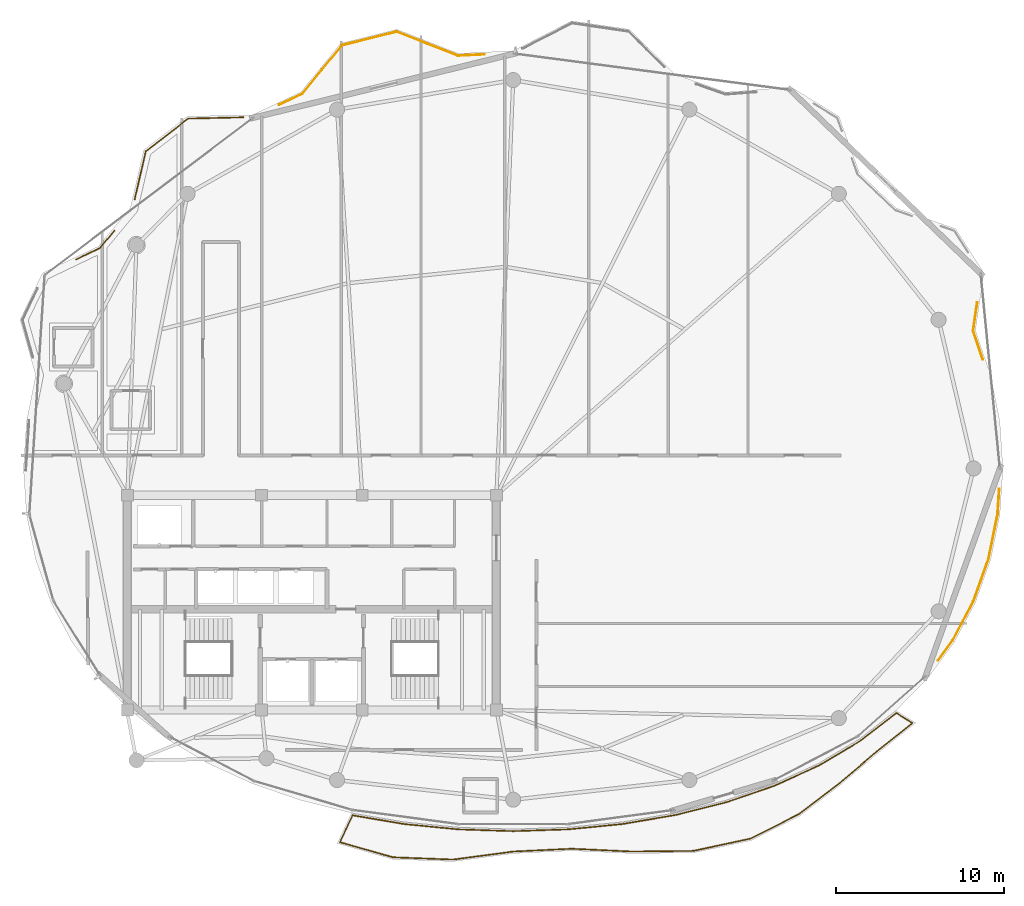
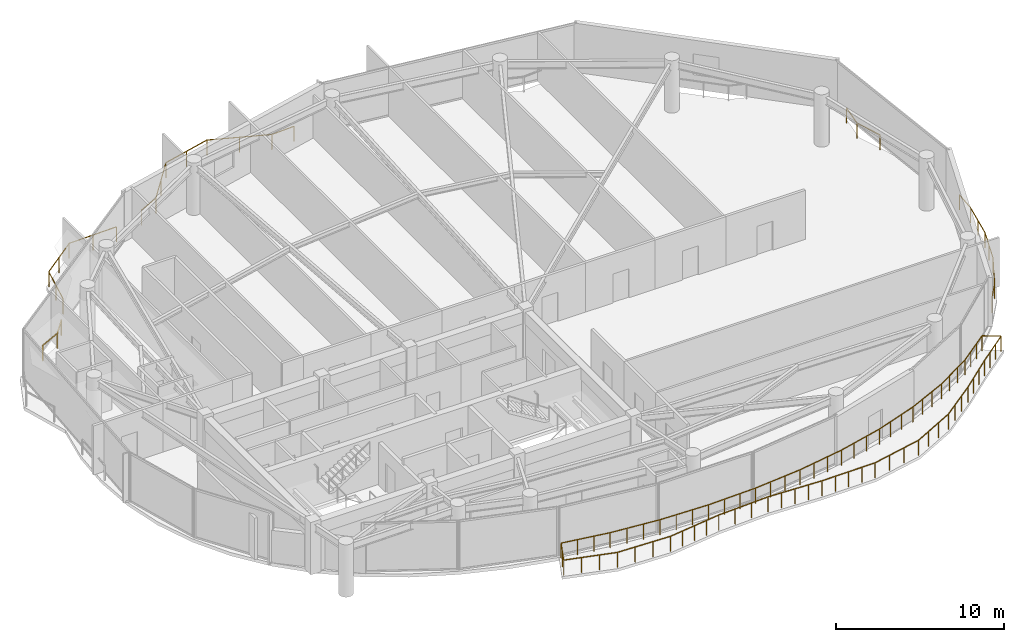
# One storey, part 28 of 29: 6 railings.
"""IFC4 building model written with IfcOpenShell, lengths in metres."""

from ifc_helpers import new_model, si_unit, direction, frame, origin, origin_2d, place, context, subcontext, project, spatial, rectangle, extrude, material, type_object, element, save


model = new_model("IFC4")

# Units and contexts
model_context = context("Model", 3, precision=1e-05, world=origin(), true_north=direction((0.0, 1.0)))
body_context = subcontext(model_context, "Body", "Model", "MODEL_VIEW")
ifc_project = project(units=[si_unit("LENGTHUNIT", "METRE"), si_unit("AREAUNIT", "SQUARE_METRE"), si_unit("VOLUMEUNIT", "CUBIC_METRE"), si_unit("PLANEANGLEUNIT", "RADIAN"), si_unit("MASSUNIT", "GRAM", prefix="KILO")], contexts=[model_context])

# Site, building, storey
site_placement = place(None, origin())
site = spatial("IfcSite", under=ifc_project, at=site_placement, CompositionType="ELEMENT")
building_placement = place(site_placement, origin())
building = spatial("IfcBuilding", under=site, at=building_placement, Name="Kazevale Care Tower and Concert Hall", CompositionType="ELEMENT")
storey_placement = place(building_placement, frame((0.0, 0.0, 262.39990234375)))
storey = spatial("IfcBuildingStorey", under=building, at=storey_placement, Name="L69", CompositionType="ELEMENT", Elevation=262.39990234375)

# Railings
ifc_material = material(Name="Anodised Bronze Aluminium and Laminated Glass", Category="aluminium")
railing_type = type_object("IfcRailingType", Name="Balcony and Terrace Balustrade 1120", PredefinedType="BALUSTRADE", material=ifc_material)
railing_1_placement = place(storey_placement, frame((18.950927734375, 50.458984375, 0.0)))
element("IfcRailing", 1, at=railing_1_placement, inside=storey, type_object=railing_type, Name="rail:L69:perim:3", PredefinedType="BALUSTRADE", context=body_context, shape_type="SweptSolid", body=[
    extrude(rectangle(XDim=0.048095703125, YDim=0.048095703125, at=origin_2d()), frame((0.0, 0.0, 1.09619140625), z_axis=(0.902084102431, 0.43156027637, 0.0), x_axis=(-0.43156027637, 0.902084102431, 0.0)), (0.0, 0.0, 1.0), 1.56640625),
    extrude(rectangle(XDim=0.048095703125, YDim=0.048095703125, at=origin_2d()), frame((1.4130859375, 0.676025390625, 1.09619140625), z_axis=(0.639393529284, 0.768879649041, 0.0), x_axis=(-0.768879649041, 0.639393529284, 0.0)), (0.0, 0.0, 1.0), 1.366943359375),
    extrude(rectangle(XDim=0.0419921875, YDim=0.0419921875, at=origin_2d()), origin(), (0.0, 0.0, 1.0), 1.072021484375),
    extrude(rectangle(XDim=0.0419921875, YDim=0.0419921875, at=origin_2d()), frame((1.4130859375, 0.676025390625, 0.0)), (0.0, 0.0, 1.0), 1.072021484375),
    extrude(rectangle(XDim=0.0419921875, YDim=0.0419921875, at=origin_2d()), frame((2.287109375, 1.72705078125, 0.0)), (0.0, 0.0, 1.0), 1.072021484375),
])
railing_2_placement = place(storey_placement, frame((22.43408203125, 54.0400390625, 0.0)))
element("IfcRailing", 2, at=railing_2_placement, inside=storey, type_object=railing_type, Name="rail:L69:perim:4", PredefinedType="BALUSTRADE", context=body_context, shape_type="SweptSolid", body=[
    extrude(rectangle(XDim=0.048095703125, YDim=0.048095703125, at=origin_2d()), frame((0.0, 0.0, 1.09619140625), z_axis=(0.226114235755, 0.974100791699, 0.0), x_axis=(-0.974100791699, 0.226114235755, 0.0)), (0.0, 0.0, 1.0), 2.941162109375),
    extrude(rectangle(XDim=0.048095703125, YDim=0.048095703125, at=origin_2d()), frame((0.6650390625, 2.864990234375, 1.09619140625), z_axis=(0.792091877317, 0.610401882278, 0.0), x_axis=(-0.610401882278, 0.792091877317, 0.0)), (0.0, 0.0, 1.0), 3.19140625),
    extrude(rectangle(XDim=0.048095703125, YDim=0.048095703125, at=origin_2d()), frame((3.19287109375, 4.81298828125, 1.09619140625), z_axis=(0.999725903569, 0.023411914328, 0.0), x_axis=(-0.023411914328, 0.999725903569, 0.0)), (0.0, 0.0, 1.0), 3.284912109375),
    extrude(rectangle(XDim=0.0419921875, YDim=0.0419921875, at=origin_2d()), origin(), (0.0, 0.0, 1.0), 1.072021484375),
    extrude(rectangle(XDim=0.0419921875, YDim=0.0419921875, at=origin_2d()), frame((0.33251953125, 1.4326171875, 0.0)), (0.0, 0.0, 1.0), 1.072021484375),
    extrude(rectangle(XDim=0.0419921875, YDim=0.0419921875, at=origin_2d()), frame((0.6650390625, 2.864990234375, 0.0)), (0.0, 0.0, 1.0), 1.072021484375),
    extrude(rectangle(XDim=0.0419921875, YDim=0.0419921875, at=origin_2d()), frame((1.928955078125, 3.8388671875, 0.0)), (0.0, 0.0, 1.0), 1.072021484375),
    extrude(rectangle(XDim=0.0419921875, YDim=0.0419921875, at=origin_2d()), frame((3.19287109375, 4.81298828125, 0.0)), (0.0, 0.0, 1.0), 1.072021484375),
    extrude(rectangle(XDim=0.0419921875, YDim=0.0419921875, at=origin_2d()), frame((4.8349609375, 4.8515625, 0.0)), (0.0, 0.0, 1.0), 1.072021484375),
    extrude(rectangle(XDim=0.0419921875, YDim=0.0419921875, at=origin_2d()), frame((6.476806640625, 4.889892578125, 0.0)), (0.0, 0.0, 1.0), 1.072021484375),
])
railing_3_placement = place(storey_placement, frame((31.0458984375, 59.674072265625, 0.0)))
element("IfcRailing", 3, at=railing_3_placement, inside=storey, type_object=railing_type, Name="rail:L69:perim:5", PredefinedType="BALUSTRADE", context=body_context, shape_type="SweptSolid", body=[
    extrude(rectangle(XDim=0.048095703125, YDim=0.048095703125, at=origin_2d()), frame((0.0, 0.0, 1.09619140625), z_axis=(0.904607164856, 0.426246263668, 0.0), x_axis=(-0.426246263668, 0.904607164856, 0.0)), (0.0, 0.0, 1.0), 1.517822265625),
    extrude(rectangle(XDim=0.048095703125, YDim=0.048095703125, at=origin_2d()), frame((1.373046875, 0.64697265625, 1.09619140625), z_axis=(0.633401077761, 0.773823671576, 0.0), x_axis=(-0.773823671576, 0.633401077761, 0.0)), (0.0, 0.0, 1.0), 3.744873046875),
    extrude(rectangle(XDim=0.048095703125, YDim=0.048095703125, at=origin_2d()), frame((3.7451171875, 3.544921875, 1.09619140625), z_axis=(0.970559032578, 0.240863372645, 0.0), x_axis=(-0.240863372645, 0.970559032578, 0.0)), (0.0, 0.0, 1.0), 3.3671875),
    extrude(rectangle(XDim=0.048095703125, YDim=0.048095703125, at=origin_2d()), frame((7.01318359375, 4.35595703125, 1.09619140625), z_axis=(0.931197717699, -0.364514486067, 0.0), x_axis=(0.364514486067, 0.931197717699, 0.0)), (0.0, 0.0, 1.0), 3.91748046875),
    extrude(rectangle(XDim=0.048095703125, YDim=0.048095703125, at=origin_2d()), frame((10.6611328125, 2.927978515625, 1.09619140625), z_axis=(0.998857903438, 0.047779584973, 0.0), x_axis=(-0.047779584973, 0.998857903438, 0.0)), (0.0, 0.0, 1.0), 1.568603515625),
    extrude(rectangle(XDim=0.0419921875, YDim=0.0419921875, at=origin_2d()), origin(), (0.0, 0.0, 1.0), 1.072021484375),
    extrude(rectangle(XDim=0.0419921875, YDim=0.0419921875, at=origin_2d()), frame((1.373046875, 0.64697265625, 0.0)), (0.0, 0.0, 1.0), 1.072021484375),
    extrude(rectangle(XDim=0.0419921875, YDim=0.0419921875, at=origin_2d()), frame((2.55908203125, 2.095947265625, 0.0)), (0.0, 0.0, 1.0), 1.072021484375),
    extrude(rectangle(XDim=0.0419921875, YDim=0.0419921875, at=origin_2d()), frame((3.7451171875, 3.544921875, 0.0)), (0.0, 0.0, 1.0), 1.072021484375),
    extrude(rectangle(XDim=0.0419921875, YDim=0.0419921875, at=origin_2d()), frame((5.379150390625, 3.950439453125, 0.0)), (0.0, 0.0, 1.0), 1.072021484375),
    extrude(rectangle(XDim=0.0419921875, YDim=0.0419921875, at=origin_2d()), frame((7.01318359375, 4.35595703125, 0.0)), (0.0, 0.0, 1.0), 1.072021484375),
    extrude(rectangle(XDim=0.0419921875, YDim=0.0419921875, at=origin_2d()), frame((8.837158203125, 3.64208984375, 0.0)), (0.0, 0.0, 1.0), 1.072021484375),
    extrude(rectangle(XDim=0.0419921875, YDim=0.0419921875, at=origin_2d()), frame((10.6611328125, 2.927978515625, 0.0)), (0.0, 0.0, 1.0), 1.072021484375),
    extrude(rectangle(XDim=0.0419921875, YDim=0.0419921875, at=origin_2d()), frame((12.22802734375, 3.0029296875, 0.0)), (0.0, 0.0, 1.0), 1.072021484375),
])
railing_4_placement = place(storey_placement, frame((73.97705078125, 36.751953125, 0.0)))
element("IfcRailing", 4, at=railing_4_placement, inside=storey, type_object=railing_type, Name="rail:L69:perim:10", PredefinedType="BALUSTRADE", context=body_context, shape_type="SweptSolid", body=[
    extrude(rectangle(XDim=0.048095703125, YDim=0.048095703125, at=origin_2d()), frame((0.0, 0.0, 1.09619140625), z_axis=(-0.066454463636, -0.997789458885, 0.0), x_axis=(0.997789458885, -0.066454463636, 0.0)), (0.0, 0.0, 1.0), 1.50634765625),
    extrude(rectangle(XDim=0.048095703125, YDim=0.048095703125, at=origin_2d()), frame((-0.10009765625, -1.5029296875, 1.09619140625), z_axis=(-0.200351117795, -0.979724159954, 0.0), x_axis=(0.979724159954, -0.200351117795, 0.0)), (0.0, 0.0, 1.0), 2.71484375),
    extrude(rectangle(XDim=0.048095703125, YDim=0.048095703125, at=origin_2d()), frame((-0.64404296875, -4.162841796875, 1.09619140625), z_axis=(-0.336533036542, -0.941671660036, 0.0), x_axis=(0.941671660036, -0.336533036542, 0.0)), (0.0, 0.0, 1.0), 2.674072265625),
    extrude(rectangle(XDim=0.048095703125, YDim=0.048095703125, at=origin_2d()), frame((-1.5439453125, -6.680908203125, 1.09619140625), z_axis=(-0.469135033055, -0.883126446643, 0.0), x_axis=(0.883126446643, -0.469135033055, 0.0)), (0.0, 0.0, 1.0), 2.652099609375),
    extrude(rectangle(XDim=0.048095703125, YDim=0.048095703125, at=origin_2d()), frame((-2.7880859375, -9.02294921875, 1.09619140625), z_axis=(-0.592278495921, -0.805733320193, 0.0), x_axis=(0.805733320193, -0.592278495921, 0.0)), (0.0, 0.0, 1.0), 1.45703125),
    extrude(rectangle(XDim=0.0419921875, YDim=0.0419921875, at=origin_2d()), origin(), (0.0, 0.0, 1.0), 1.072021484375),
    extrude(rectangle(XDim=0.0419921875, YDim=0.0419921875, at=origin_2d()), frame((-0.10009765625, -1.5029296875, 0.0)), (0.0, 0.0, 1.0), 1.072021484375),
    extrude(rectangle(XDim=0.0419921875, YDim=0.0419921875, at=origin_2d()), frame((-0.3720703125, -2.8330078125, 0.0)), (0.0, 0.0, 1.0), 1.072021484375),
    extrude(rectangle(XDim=0.0419921875, YDim=0.0419921875, at=origin_2d()), frame((-0.64404296875, -4.162841796875, 0.0)), (0.0, 0.0, 1.0), 1.072021484375),
    extrude(rectangle(XDim=0.0419921875, YDim=0.0419921875, at=origin_2d()), frame((-1.093994140625, -5.421875, 0.0)), (0.0, 0.0, 1.0), 1.072021484375),
    extrude(rectangle(XDim=0.0419921875, YDim=0.0419921875, at=origin_2d()), frame((-1.5439453125, -6.680908203125, 0.0)), (0.0, 0.0, 1.0), 1.072021484375),
    extrude(rectangle(XDim=0.0419921875, YDim=0.0419921875, at=origin_2d()), frame((-2.166015625, -7.85205078125, 0.0)), (0.0, 0.0, 1.0), 1.072021484375),
    extrude(rectangle(XDim=0.0419921875, YDim=0.0419921875, at=origin_2d()), frame((-2.7880859375, -9.02294921875, 0.0)), (0.0, 0.0, 1.0), 1.072021484375),
    extrude(rectangle(XDim=0.0419921875, YDim=0.0419921875, at=origin_2d()), frame((-3.651123046875, -10.197021484375, 0.0)), (0.0, 0.0, 1.0), 1.072021484375),
])
railing_5_placement = place(storey_placement, frame((72.6650390625, 47.887939453125, 0.0)))
element("IfcRailing", 5, at=railing_5_placement, inside=storey, type_object=railing_type, Name="rail:L69:perim:12", PredefinedType="BALUSTRADE", context=body_context, shape_type="SweptSolid", body=[
    extrude(rectangle(XDim=0.048095703125, YDim=0.048095703125, at=origin_2d()), frame((0.0, 0.0, 1.09619140625), z_axis=(-0.145755209464, -0.989320685579, 0.0), x_axis=(0.989320685579, -0.145755209464, 0.0)), (0.0, 0.0, 1.0), 1.695068359375),
    extrude(rectangle(XDim=0.048095703125, YDim=0.048095703125, at=origin_2d()), frame((-0.2470703125, -1.677001953125, 1.09619140625), z_axis=(0.320057810451, -0.947398014548, 0.0), x_axis=(0.947398014548, 0.320057810451, 0.0)), (0.0, 0.0, 1.0), 1.8154296875),
    extrude(rectangle(XDim=0.0419921875, YDim=0.0419921875, at=origin_2d()), origin(), (0.0, 0.0, 1.0), 1.072021484375),
    extrude(rectangle(XDim=0.0419921875, YDim=0.0419921875, at=origin_2d()), frame((-0.2470703125, -1.677001953125, 0.0)), (0.0, 0.0, 1.0), 1.072021484375),
    extrude(rectangle(XDim=0.0419921875, YDim=0.0419921875, at=origin_2d()), frame((0.333984375, -3.39697265625, 0.0)), (0.0, 0.0, 1.0), 1.072021484375),
])
railing_6_placement = place(storey_placement, frame((35.424072265625, 17.319091796875, 0.0)))
element("IfcRailing", 6, at=railing_6_placement, inside=storey, type_object=railing_type, Name="rail:L69:balcony", PredefinedType="BALUSTRADE", context=body_context, shape_type="SweptSolid", body=[
    extrude(rectangle(XDim=0.048095703125, YDim=0.048095703125, at=origin_2d()), frame((0.0, 0.0, 1.09619140625), z_axis=(0.985883626942, -0.167431998516, 0.0), x_axis=(0.167431998516, 0.985883626942, 0.0)), (0.0, 0.0, 1.0), 3.10595703125),
    extrude(rectangle(XDim=0.048095703125, YDim=0.048095703125, at=origin_2d()), frame((3.06201171875, -0.52001953125, 1.09619140625), z_axis=(0.995202326145, -0.097838285119, 0.0), x_axis=(0.097838285119, 0.995202326145, 0.0)), (0.0, 0.0, 1.0), 3.25146484375),
    extrude(rectangle(XDim=0.048095703125, YDim=0.048095703125, at=origin_2d()), frame((6.2978515625, -0.838134765625, 1.09619140625), z_axis=(0.999478023027, -0.032306059581, 0.0), x_axis=(0.032306059581, 0.999478023027, 0.0)), (0.0, 0.0, 1.0), 3.27978515625),
    extrude(rectangle(XDim=0.048095703125, YDim=0.048095703125, at=origin_2d()), frame((9.575927734375, -0.944091796875, 1.09619140625), z_axis=(0.999478023027, 0.032306059581, 0.0), x_axis=(-0.032306059581, 0.999478023027, 0.0)), (0.0, 0.0, 1.0), 3.27978515625),
    extrude(rectangle(XDim=0.048095703125, YDim=0.048095703125, at=origin_2d()), frame((12.85400390625, -0.838134765625, 1.09619140625), z_axis=(0.995202326145, 0.097838285119, 0.0), x_axis=(-0.097838285119, 0.995202326145, 0.0)), (0.0, 0.0, 1.0), 3.25146484375),
    extrude(rectangle(XDim=0.048095703125, YDim=0.048095703125, at=origin_2d()), frame((16.08984375, -0.52001953125, 1.09619140625), z_axis=(0.985888464626, 0.167403510471, 0.0), x_axis=(-0.167403510471, 0.985888464626, 0.0)), (0.0, 0.0, 1.0), 3.201171875),
    extrude(rectangle(XDim=0.048095703125, YDim=0.048095703125, at=origin_2d()), frame((19.245849609375, 0.015869140625, 1.09619140625), z_axis=(0.970197562423, 0.242315269572, 0.0), x_axis=(-0.242315269572, 0.970197562423, 0.0)), (0.0, 0.0, 1.0), 3.12841796875),
    extrude(rectangle(XDim=0.048095703125, YDim=0.048095703125, at=origin_2d()), frame((22.281005859375, 0.77392578125, 1.09619140625), z_axis=(0.945779087346, 0.324810587788, 0.0), x_axis=(-0.324810587788, 0.945779087346, 0.0)), (0.0, 0.0, 1.0), 3.0419921875),
    extrude(rectangle(XDim=0.048095703125, YDim=0.048095703125, at=origin_2d()), frame((25.157958984375, 1.761962890625, 1.09619140625), z_axis=(0.909747168294, 0.415162726869, 0.0), x_axis=(-0.415162726869, 0.909747168294, 0.0)), (0.0, 0.0, 1.0), 2.947998046875),
    extrude(rectangle(XDim=0.048095703125, YDim=0.048095703125, at=origin_2d()), frame((27.83984375, 2.98583984375, 1.09619140625), z_axis=(0.858628906565, 0.512597698796, 0.0), x_axis=(-0.512597698796, 0.858628906565, 0.0)), (0.0, 0.0, 1.0), 2.858154296875),
    extrude(rectangle(XDim=0.048095703125, YDim=0.048095703125, at=origin_2d()), frame((30.2939453125, 4.450927734375, 1.09619140625), z_axis=(0.789596616282, 0.613626257225, 0.0), x_axis=(-0.613626257225, 0.789596616282, 0.0)), (0.0, 0.0, 1.0), 2.688720703125),
    extrude(rectangle(XDim=0.048095703125, YDim=0.048095703125, at=origin_2d()), frame((32.4169921875, 6.100830078125, 1.09619140625), z_axis=(0.845004965077, -0.534758458555, 0.0), x_axis=(0.534758458555, 0.845004965077, 0.0)), (0.0, 0.0, 1.0), 1.127685546875),
    extrude(rectangle(XDim=0.048095703125, YDim=0.048095703125, at=origin_2d()), frame((33.369873046875, 5.497802734375, 1.09619140625), z_axis=(-0.781017200055, -0.624509514114, 0.0), x_axis=(0.624509514114, -0.781017200055, 0.0)), (0.0, 0.0, 1.0), 2.728271484375),
    extrude(rectangle(XDim=0.048095703125, YDim=0.048095703125, at=origin_2d()), frame((31.239013671875, 3.7939453125, 1.09619140625), z_axis=(-0.761833461315, -0.647772936468, 0.0), x_axis=(0.647772936468, -0.761833461315, 0.0)), (0.0, 0.0, 1.0), 2.90234375),
    extrude(rectangle(XDim=0.048095703125, YDim=0.048095703125, at=origin_2d()), frame((29.02783203125, 1.913818359375, 1.09619140625), z_axis=(-0.794364696692, -0.607441131839, 0.0), x_axis=(0.607441131839, -0.794364696692, 0.0)), (0.0, 0.0, 1.0), 3.02880859375),
    extrude(rectangle(XDim=0.048095703125, YDim=0.048095703125, at=origin_2d()), frame((26.621826171875, 0.073974609375, 1.09619140625), z_axis=(-0.892180275983, -0.451679482761, 0.0), x_axis=(0.451679482761, -0.892180275983, 0.0)), (0.0, 0.0, 1.0), 3.232177734375),
    extrude(rectangle(XDim=0.048095703125, YDim=0.048095703125, at=origin_2d()), frame((23.738037109375, -1.385986328125, 1.09619140625), z_axis=(-0.977595283244, -0.210493377993, 0.0), x_axis=(0.210493377993, -0.977595283244, 0.0)), (0.0, 0.0, 1.0), 3.4921875),
    extrude(rectangle(XDim=0.048095703125, YDim=0.048095703125, at=origin_2d()), frame((20.323974609375, -2.12109375, 1.09619140625), z_axis=(-0.999946097, -0.010382826886, 0.0), x_axis=(0.010382826886, -0.999946097, 0.0)), (0.0, 0.0, 1.0), 3.668212890625),
    extrude(rectangle(XDim=0.048095703125, YDim=0.048095703125, at=origin_2d()), frame((16.656005859375, -2.1591796875, 1.09619140625), z_axis=(-0.99894915882, 0.045832064026, 0.0), x_axis=(-0.045832064026, -0.99894915882, 0.0)), (0.0, 0.0, 1.0), 3.600830078125),
    extrude(rectangle(XDim=0.048095703125, YDim=0.048095703125, at=origin_2d()), frame((13.058837890625, -1.994140625, 1.09619140625), z_axis=(-0.998859752981, -0.047740903573, 0.0), x_axis=(0.047740903573, -0.998859752981, 0.0)), (0.0, 0.0, 1.0), 3.497802734375),
    extrude(rectangle(XDim=0.048095703125, YDim=0.048095703125, at=origin_2d()), frame((9.56494140625, -2.1611328125, 1.09619140625), z_axis=(-0.991187676533, -0.132465051577, 0.0), x_axis=(0.132465051577, -0.991187676533, 0.0)), (0.0, 0.0, 1.0), 3.608642578125),
    extrude(rectangle(XDim=0.048095703125, YDim=0.048095703125, at=origin_2d()), frame((5.988037109375, -2.63916015625, 1.09619140625), z_axis=(-0.999278201182, 0.037987848625, 0.0), x_axis=(-0.037987848625, -0.999278201182, 0.0)), (0.0, 0.0, 1.0), 3.579833984375),
    extrude(rectangle(XDim=0.048095703125, YDim=0.048095703125, at=origin_2d()), frame((2.410888671875, -2.503173828125, 1.09619140625), z_axis=(-0.961834197402, 0.273632923289, 0.0), x_axis=(-0.273632923289, -0.961834197402, 0.0)), (0.0, 0.0, 1.0), 3.28955078125),
    extrude(rectangle(XDim=0.048095703125, YDim=0.048095703125, at=origin_2d()), frame((-0.753173828125, -1.60302734375, 1.09619140625), z_axis=(0.42524597546, 0.905077820055, 0.0), x_axis=(-0.905077820055, 0.42524597546, 0.0)), (0.0, 0.0, 1.0), 1.771240234375),
    extrude(rectangle(XDim=0.0419921875, YDim=0.0419921875, at=origin_2d()), origin(), (0.0, 0.0, 1.0), 1.072021484375),
    extrude(rectangle(XDim=0.0419921875, YDim=0.0419921875, at=origin_2d()), frame((1.020751953125, -0.17333984375, 0.0)), (0.0, 0.0, 1.0), 1.072021484375),
    extrude(rectangle(XDim=0.0419921875, YDim=0.0419921875, at=origin_2d()), frame((2.041259765625, -0.3466796875, 0.0)), (0.0, 0.0, 1.0), 1.072021484375),
    extrude(rectangle(XDim=0.0419921875, YDim=0.0419921875, at=origin_2d()), frame((3.06201171875, -0.52001953125, 0.0)), (0.0, 0.0, 1.0), 1.072021484375),
    extrude(rectangle(XDim=0.0419921875, YDim=0.0419921875, at=origin_2d()), frame((4.140625, -0.6259765625, 0.0)), (0.0, 0.0, 1.0), 1.072021484375),
    extrude(rectangle(XDim=0.0419921875, YDim=0.0419921875, at=origin_2d()), frame((5.21923828125, -0.732177734375, 0.0)), (0.0, 0.0, 1.0), 1.072021484375),
    extrude(rectangle(XDim=0.0419921875, YDim=0.0419921875, at=origin_2d()), frame((6.2978515625, -0.838134765625, 0.0)), (0.0, 0.0, 1.0), 1.072021484375),
    extrude(rectangle(XDim=0.0419921875, YDim=0.0419921875, at=origin_2d()), frame((7.390625, -0.87353515625, 0.0)), (0.0, 0.0, 1.0), 1.072021484375),
    extrude(rectangle(XDim=0.0419921875, YDim=0.0419921875, at=origin_2d()), frame((8.483154296875, -0.90869140625, 0.0)), (0.0, 0.0, 1.0), 1.072021484375),
    extrude(rectangle(XDim=0.0419921875, YDim=0.0419921875, at=origin_2d()), frame((9.575927734375, -0.944091796875, 0.0)), (0.0, 0.0, 1.0), 1.072021484375),
    extrude(rectangle(XDim=0.0419921875, YDim=0.0419921875, at=origin_2d()), frame((10.668701171875, -0.90869140625, 0.0)), (0.0, 0.0, 1.0), 1.072021484375),
    extrude(rectangle(XDim=0.0419921875, YDim=0.0419921875, at=origin_2d()), frame((11.76123046875, -0.87353515625, 0.0)), (0.0, 0.0, 1.0), 1.072021484375),
    extrude(rectangle(XDim=0.0419921875, YDim=0.0419921875, at=origin_2d()), frame((12.85400390625, -0.838134765625, 0.0)), (0.0, 0.0, 1.0), 1.072021484375),
    extrude(rectangle(XDim=0.0419921875, YDim=0.0419921875, at=origin_2d()), frame((13.9326171875, -0.732177734375, 0.0)), (0.0, 0.0, 1.0), 1.072021484375),
    extrude(rectangle(XDim=0.0419921875, YDim=0.0419921875, at=origin_2d()), frame((15.01123046875, -0.6259765625, 0.0)), (0.0, 0.0, 1.0), 1.072021484375),
    extrude(rectangle(XDim=0.0419921875, YDim=0.0419921875, at=origin_2d()), frame((16.08984375, -0.52001953125, 0.0)), (0.0, 0.0, 1.0), 1.072021484375),
    extrude(rectangle(XDim=0.0419921875, YDim=0.0419921875, at=origin_2d()), frame((17.141845703125, -0.34130859375, 0.0)), (0.0, 0.0, 1.0), 1.072021484375),
    extrude(rectangle(XDim=0.0419921875, YDim=0.0419921875, at=origin_2d()), frame((18.19384765625, -0.162841796875, 0.0)), (0.0, 0.0, 1.0), 1.072021484375),
    extrude(rectangle(XDim=0.0419921875, YDim=0.0419921875, at=origin_2d()), frame((19.245849609375, 0.015869140625, 0.0)), (0.0, 0.0, 1.0), 1.072021484375),
    extrude(rectangle(XDim=0.0419921875, YDim=0.0419921875, at=origin_2d()), frame((20.257568359375, 0.2685546875, 0.0)), (0.0, 0.0, 1.0), 1.072021484375),
    extrude(rectangle(XDim=0.0419921875, YDim=0.0419921875, at=origin_2d()), frame((21.269287109375, 0.521240234375, 0.0)), (0.0, 0.0, 1.0), 1.072021484375),
    extrude(rectangle(XDim=0.0419921875, YDim=0.0419921875, at=origin_2d()), frame((22.281005859375, 0.77392578125, 0.0)), (0.0, 0.0, 1.0), 1.072021484375),
    extrude(rectangle(XDim=0.0419921875, YDim=0.0419921875, at=origin_2d()), frame((23.239990234375, 1.103271484375, 0.0)), (0.0, 0.0, 1.0), 1.072021484375),
    extrude(rectangle(XDim=0.0419921875, YDim=0.0419921875, at=origin_2d()), frame((24.198974609375, 1.4326171875, 0.0)), (0.0, 0.0, 1.0), 1.072021484375),
    extrude(rectangle(XDim=0.0419921875, YDim=0.0419921875, at=origin_2d()), frame((25.157958984375, 1.761962890625, 0.0)), (0.0, 0.0, 1.0), 1.072021484375),
    extrude(rectangle(XDim=0.0419921875, YDim=0.0419921875, at=origin_2d()), frame((26.052001953125, 2.169921875, 0.0)), (0.0, 0.0, 1.0), 1.072021484375),
    extrude(rectangle(XDim=0.0419921875, YDim=0.0419921875, at=origin_2d()), frame((26.94580078125, 2.577880859375, 0.0)), (0.0, 0.0, 1.0), 1.072021484375),
    extrude(rectangle(XDim=0.0419921875, YDim=0.0419921875, at=origin_2d()), frame((27.83984375, 2.98583984375, 0.0)), (0.0, 0.0, 1.0), 1.072021484375),
    extrude(rectangle(XDim=0.0419921875, YDim=0.0419921875, at=origin_2d()), frame((28.657958984375, 3.47412109375, 0.0)), (0.0, 0.0, 1.0), 1.072021484375),
    extrude(rectangle(XDim=0.0419921875, YDim=0.0419921875, at=origin_2d()), frame((29.475830078125, 3.962646484375, 0.0)), (0.0, 0.0, 1.0), 1.072021484375),
    extrude(rectangle(XDim=0.0419921875, YDim=0.0419921875, at=origin_2d()), frame((30.2939453125, 4.450927734375, 0.0)), (0.0, 0.0, 1.0), 1.072021484375),
    extrude(rectangle(XDim=0.0419921875, YDim=0.0419921875, at=origin_2d()), frame((31.001708984375, 5.0009765625, 0.0)), (0.0, 0.0, 1.0), 1.072021484375),
    extrude(rectangle(XDim=0.0419921875, YDim=0.0419921875, at=origin_2d()), frame((31.709228515625, 5.55078125, 0.0)), (0.0, 0.0, 1.0), 1.072021484375),
    extrude(rectangle(XDim=0.0419921875, YDim=0.0419921875, at=origin_2d()), frame((32.4169921875, 6.100830078125, 0.0)), (0.0, 0.0, 1.0), 1.072021484375),
    extrude(rectangle(XDim=0.0419921875, YDim=0.0419921875, at=origin_2d()), frame((33.369873046875, 5.497802734375, 0.0)), (0.0, 0.0, 1.0), 1.072021484375),
    extrude(rectangle(XDim=0.0419921875, YDim=0.0419921875, at=origin_2d()), frame((32.65966796875, 4.929931640625, 0.0)), (0.0, 0.0, 1.0), 1.072021484375),
    extrude(rectangle(XDim=0.0419921875, YDim=0.0419921875, at=origin_2d()), frame((31.94921875, 4.36181640625, 0.0)), (0.0, 0.0, 1.0), 1.072021484375),
    extrude(rectangle(XDim=0.0419921875, YDim=0.0419921875, at=origin_2d()), frame((31.239013671875, 3.7939453125, 0.0)), (0.0, 0.0, 1.0), 1.072021484375),
    extrude(rectangle(XDim=0.0419921875, YDim=0.0419921875, at=origin_2d()), frame((30.501953125, 3.167236328125, 0.0)), (0.0, 0.0, 1.0), 1.072021484375),
    extrude(rectangle(XDim=0.0419921875, YDim=0.0419921875, at=origin_2d()), frame((29.764892578125, 2.54052734375, 0.0)), (0.0, 0.0, 1.0), 1.072021484375),
    extrude(rectangle(XDim=0.0419921875, YDim=0.0419921875, at=origin_2d()), frame((29.02783203125, 1.913818359375, 0.0)), (0.0, 0.0, 1.0), 1.072021484375),
    extrude(rectangle(XDim=0.0419921875, YDim=0.0419921875, at=origin_2d()), frame((28.225830078125, 1.300537109375, 0.0)), (0.0, 0.0, 1.0), 1.072021484375),
    extrude(rectangle(XDim=0.0419921875, YDim=0.0419921875, at=origin_2d()), frame((27.423828125, 0.687255859375, 0.0)), (0.0, 0.0, 1.0), 1.072021484375),
    extrude(rectangle(XDim=0.0419921875, YDim=0.0419921875, at=origin_2d()), frame((26.621826171875, 0.073974609375, 0.0)), (0.0, 0.0, 1.0), 1.072021484375),
    extrude(rectangle(XDim=0.0419921875, YDim=0.0419921875, at=origin_2d()), frame((25.66064453125, -0.41259765625, 0.0)), (0.0, 0.0, 1.0), 1.072021484375),
    extrude(rectangle(XDim=0.0419921875, YDim=0.0419921875, at=origin_2d()), frame((24.69921875, -0.8994140625, 0.0)), (0.0, 0.0, 1.0), 1.072021484375),
    extrude(rectangle(XDim=0.0419921875, YDim=0.0419921875, at=origin_2d()), frame((23.738037109375, -1.385986328125, 0.0)), (0.0, 0.0, 1.0), 1.072021484375),
    extrude(rectangle(XDim=0.0419921875, YDim=0.0419921875, at=origin_2d()), frame((22.60009765625, -1.631103515625, 0.0)), (0.0, 0.0, 1.0), 1.072021484375),
    extrude(rectangle(XDim=0.0419921875, YDim=0.0419921875, at=origin_2d()), frame((21.4619140625, -1.8759765625, 0.0)), (0.0, 0.0, 1.0), 1.072021484375),
    extrude(rectangle(XDim=0.0419921875, YDim=0.0419921875, at=origin_2d()), frame((20.323974609375, -2.12109375, 0.0)), (0.0, 0.0, 1.0), 1.072021484375),
    extrude(rectangle(XDim=0.0419921875, YDim=0.0419921875, at=origin_2d()), frame((19.406982421875, -2.130615234375, 0.0)), (0.0, 0.0, 1.0), 1.072021484375),
    extrude(rectangle(XDim=0.0419921875, YDim=0.0419921875, at=origin_2d()), frame((18.489990234375, -2.14013671875, 0.0)), (0.0, 0.0, 1.0), 1.072021484375),
    extrude(rectangle(XDim=0.0419921875, YDim=0.0419921875, at=origin_2d()), frame((17.572998046875, -2.149658203125, 0.0)), (0.0, 0.0, 1.0), 1.072021484375),
    extrude(rectangle(XDim=0.0419921875, YDim=0.0419921875, at=origin_2d()), frame((16.656005859375, -2.1591796875, 0.0)), (0.0, 0.0, 1.0), 1.072021484375),
    extrude(rectangle(XDim=0.0419921875, YDim=0.0419921875, at=origin_2d()), frame((15.7568359375, -2.117919921875, 0.0)), (0.0, 0.0, 1.0), 1.072021484375),
    extrude(rectangle(XDim=0.0419921875, YDim=0.0419921875, at=origin_2d()), frame((14.857421875, -2.07666015625, 0.0)), (0.0, 0.0, 1.0), 1.072021484375),
    extrude(rectangle(XDim=0.0419921875, YDim=0.0419921875, at=origin_2d()), frame((13.9580078125, -2.035400390625, 0.0)), (0.0, 0.0, 1.0), 1.072021484375),
    extrude(rectangle(XDim=0.0419921875, YDim=0.0419921875, at=origin_2d()), frame((13.058837890625, -1.994140625, 0.0)), (0.0, 0.0, 1.0), 1.072021484375),
    extrude(rectangle(XDim=0.0419921875, YDim=0.0419921875, at=origin_2d()), frame((11.894287109375, -2.0498046875, 0.0)), (0.0, 0.0, 1.0), 1.072021484375),
    extrude(rectangle(XDim=0.0419921875, YDim=0.0419921875, at=origin_2d()), frame((10.7294921875, -2.10546875, 0.0)), (0.0, 0.0, 1.0), 1.072021484375),
    extrude(rectangle(XDim=0.0419921875, YDim=0.0419921875, at=origin_2d()), frame((9.56494140625, -2.1611328125, 0.0)), (0.0, 0.0, 1.0), 1.072021484375),
    extrude(rectangle(XDim=0.0419921875, YDim=0.0419921875, at=origin_2d()), frame((8.670654296875, -2.28076171875, 0.0)), (0.0, 0.0, 1.0), 1.072021484375),
    extrude(rectangle(XDim=0.0419921875, YDim=0.0419921875, at=origin_2d()), frame((7.7763671875, -2.400146484375, 0.0)), (0.0, 0.0, 1.0), 1.072021484375),
    extrude(rectangle(XDim=0.0419921875, YDim=0.0419921875, at=origin_2d()), frame((6.88232421875, -2.51953125, 0.0)), (0.0, 0.0, 1.0), 1.072021484375),
    extrude(rectangle(XDim=0.0419921875, YDim=0.0419921875, at=origin_2d()), frame((5.988037109375, -2.63916015625, 0.0)), (0.0, 0.0, 1.0), 1.072021484375),
    extrude(rectangle(XDim=0.0419921875, YDim=0.0419921875, at=origin_2d()), frame((4.795654296875, -2.59375, 0.0)), (0.0, 0.0, 1.0), 1.072021484375),
    extrude(rectangle(XDim=0.0419921875, YDim=0.0419921875, at=origin_2d()), frame((3.603271484375, -2.548583984375, 0.0)), (0.0, 0.0, 1.0), 1.072021484375),
    extrude(rectangle(XDim=0.0419921875, YDim=0.0419921875, at=origin_2d()), frame((2.410888671875, -2.503173828125, 0.0)), (0.0, 0.0, 1.0), 1.072021484375),
    extrude(rectangle(XDim=0.0419921875, YDim=0.0419921875, at=origin_2d()), frame((1.356201171875, -2.203125, 0.0)), (0.0, 0.0, 1.0), 1.072021484375),
    extrude(rectangle(XDim=0.0419921875, YDim=0.0419921875, at=origin_2d()), frame((0.301513671875, -1.903076171875, 0.0)), (0.0, 0.0, 1.0), 1.072021484375),
    extrude(rectangle(XDim=0.0419921875, YDim=0.0419921875, at=origin_2d()), frame((-0.753173828125, -1.60302734375, 0.0)), (0.0, 0.0, 1.0), 1.072021484375),
    extrude(rectangle(XDim=0.0419921875, YDim=0.0419921875, at=origin_2d()), frame((-0.37646484375, -0.801513671875, 0.0)), (0.0, 0.0, 1.0), 1.072021484375),
])

save(model, "model.ifc")
